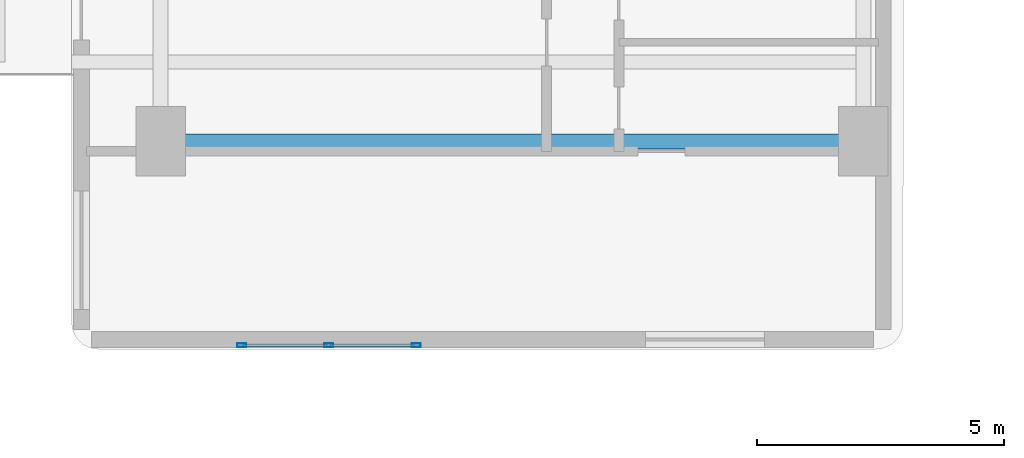
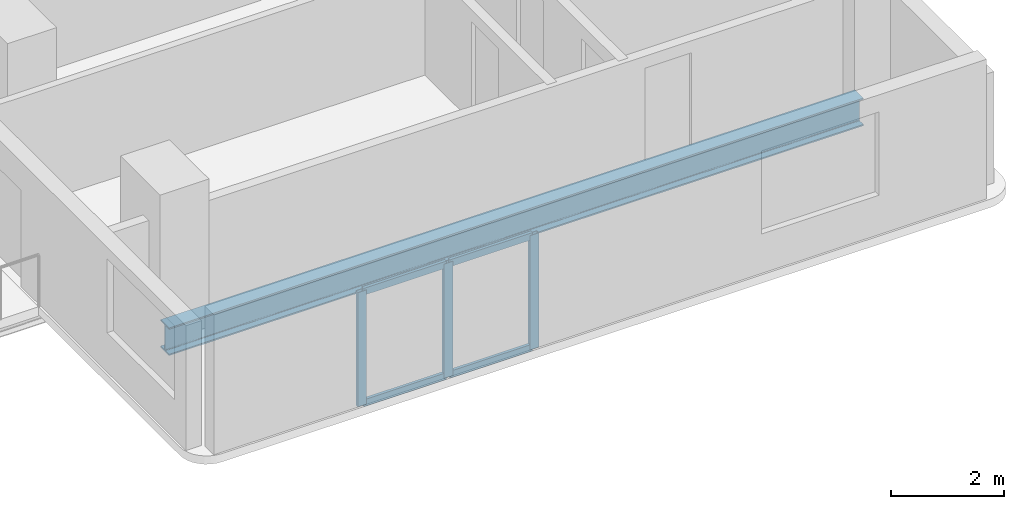
# One storey, part 2 of 17: 7 members, 1 beam, 1 element without a shape of its own.
"""IFC4 building model written with IfcOpenShell, lengths in metres."""

import ifcopenshell
import ifcopenshell.guid

model = None  # the IFC model being written
_history = None  # IfcOwnerHistory: only IFC2X3 demands one
_inside = {}  # id of a spatial element -> (the spatial element, [elements in it])
_under = {}  # id of a project, library or spatial element -> (it, [spatial elements below it])
_declared = {}  # id of a project -> (the project, [libraries it declares])
_typed = {}  # id of a type object -> (the type object, [elements of that type])
_made_of = {}  # id of a material, layer set ... -> (it, [elements and type objects made of it])


def new_model(schema):
    """Start an empty IFC model of exactly this schema.

    Asked for "IFC4X3", IfcOpenShell would pick the latest addendum, in which some entities
    have other attributes; the version numbers below select the first issue.
    IFC2X3 requires an IfcOwnerHistory on every rooted entity: one is made here for all.
    """
    global model, _history
    if schema == "IFC4X3":
        model = ifcopenshell.file(schema_version=(4, 3, 0, 0))
    else:
        model = ifcopenshell.file(schema=schema)
    _inside.clear()
    _under.clear()
    _declared.clear()
    _typed.clear()
    _made_of.clear()
    _history = None
    if model.schema == "IFC2X3":
        org = make("IfcOrganization", Name="unknown")
        user = make(
            "IfcPersonAndOrganization",
            ThePerson=make("IfcPerson", FamilyName="unknown"),
            TheOrganization=org,
        )
        app = make(
            "IfcApplication",
            ApplicationDeveloper=org,
            Version="unknown",
            ApplicationFullName="unknown",
            ApplicationIdentifier="unknown",
        )
        _history = make(
            "IfcOwnerHistory",
            OwningUser=user,
            OwningApplication=app,
            ChangeAction="ADDED",
            CreationDate=0,
        )
    return model


def make(cls, **values):
    """One entity of the class cls with the attributes given. An attribute that is None is left unset."""
    return model.create_entity(
        cls, **{name: value for name, value in values.items() if value is not None}
    )


def rooted(cls, **values):
    """An entity with a GlobalId (a new one), such as an element, a storey or a relation."""
    return make(cls, GlobalId=ifcopenshell.guid.new(), OwnerHistory=_history, **values)


def si_unit(unit_type, name, prefix=None):
    """IfcSIUnit, for example si_unit("LENGTHUNIT", "METRE", prefix="MILLI")."""
    return make("IfcSIUnit", UnitType=unit_type, Prefix=prefix, Name=name)


def assignment(units):
    """IfcUnitAssignment: the units of a project."""
    return None if units is None else make("IfcUnitAssignment", Units=units)


def point(xyz):
    """IfcCartesianPoint."""
    return None if xyz is None else make("IfcCartesianPoint", Coordinates=xyz)


def direction(xyz):
    """IfcDirection."""
    return None if xyz is None else make("IfcDirection", DirectionRatios=xyz)


def frame(location, z_axis=None, x_axis=None):
    """IfcAxis2Placement3D, a coordinate frame: its origin and axes. An axis left out is left unset."""
    return make(
        "IfcAxis2Placement3D",
        Location=point(location),
        Axis=direction(z_axis),
        RefDirection=direction(x_axis),
    )


def frame_2d(location, x_axis=None):
    """IfcAxis2Placement2D, a coordinate frame in the plane: its origin and x axis."""
    return make(
        "IfcAxis2Placement2D", Location=point(location), RefDirection=direction(x_axis)
    )


def origin():
    """The frame at (0, 0, 0) with its axes left unset."""
    return frame((0.0, 0.0, 0.0))


def origin_2d():
    """The frame at (0, 0) in the plane with its x axis left unset."""
    return frame_2d((0.0, 0.0))


def place(relative_to, where):
    """IfcLocalPlacement: puts the frame where relative to a parent placement (None: the world)."""
    return make(
        "IfcLocalPlacement", PlacementRelTo=relative_to, RelativePlacement=where
    )


def context(
    kind, dimensions, precision=None, world=None, true_north=None, identifier=None
):
    """IfcGeometricRepresentationContext, for example the 3D "Model" context."""
    return make(
        "IfcGeometricRepresentationContext",
        ContextIdentifier=identifier,
        ContextType=kind,
        CoordinateSpaceDimension=dimensions,
        Precision=precision,
        WorldCoordinateSystem=world,
        TrueNorth=true_north,
    )


def subcontext(parent, identifier, kind, view, scale=None):
    """IfcGeometricRepresentationSubContext, for example "Body" below "Model"."""
    return make(
        "IfcGeometricRepresentationSubContext",
        ContextIdentifier=identifier,
        ContextType=kind,
        ParentContext=parent,
        TargetScale=scale,
        TargetView=view,
    )


def project(units=None, contexts=None):
    """IfcProject with its units and contexts."""
    return rooted(
        "IfcProject",
        Name="project",
        RepresentationContexts=contexts,
        UnitsInContext=assignment(units),
    )


def spatial(cls, under=None, at=None, **own):
    """A site, building, storey or space (cls), placed at a placement, below another one or the project."""
    s = rooted(cls, ObjectPlacement=at, **own)
    if under is not None:
        _under.setdefault(under.id(), (under, []))[1].append(s)
    return s


def profile(cls, at=None, kind="AREA", **sizes):
    """A parametric profile (cls). Its sizes go by their IFC names, for example OverallWidth=200.0."""
    return make(cls, ProfileType=kind, Position=at, **sizes)


def hollow_rectangle(**sizes):
    """IfcRectangleHollowProfileDef."""
    return profile("IfcRectangleHollowProfileDef", **sizes)


def i_section(**sizes):
    """IfcIShapeProfileDef."""
    return profile("IfcIShapeProfileDef", **sizes)


def extrude(swept, where, along, depth):
    """IfcExtrudedAreaSolid: the profile swept, set in the frame where, extruded along a direction by depth."""
    return make(
        "IfcExtrudedAreaSolid",
        SweptArea=swept,
        Position=where,
        ExtrudedDirection=direction(along),
        Depth=depth,
    )


def shape(context_of_items, identifier, shape_type, items):
    """IfcShapeRepresentation: the items that make up one representation, for example the "Body"."""
    return make(
        "IfcShapeRepresentation",
        ContextOfItems=context_of_items,
        RepresentationIdentifier=identifier,
        RepresentationType=shape_type,
        Items=items,
    )


def material(Name=None, Category=None):
    """IfcMaterial."""
    return make("IfcMaterial", Name=Name, Category=Category)


def material_profile(
    of_material, cross_section, Name=None, Category=None, Priority=None
):
    """IfcMaterialProfile: a cross section and its material."""
    return make(
        "IfcMaterialProfile",
        Name=Name,
        Material=of_material,
        Profile=cross_section,
        Priority=Priority,
        Category=Category,
    )


def profile_set(profiles, Name=None, composite=None):
    """IfcMaterialProfileSet."""
    return make(
        "IfcMaterialProfileSet",
        Name=Name,
        MaterialProfiles=profiles,
        CompositeProfile=composite,
    )


def made_of(thing, what):
    """Note that an element or type object is made of a material, layer set ...; save() writes the relation."""
    if what is not None:
        _made_of.setdefault(what.id(), (what, []))[1].append(thing)
    return thing


def type_object(cls, material=None, **own):
    """A type object (cls), such as IfcWallType, which elements share."""
    return made_of(rooted(cls, **own), material)


def element(
    cls,
    number,
    at=None,
    inside=None,
    cuts=None,
    type_object=None,
    material=None,
    context=None,
    identifier="Body",
    shape_type=None,
    held_by="IfcProductDefinitionShape",
    body=None,
    shapes=None,
    **own,
):
    """One element of the class cls, such as IfcWall. Its Tag is "e" and its number.

    at: its placement. inside: the storey or other place that contains it. cuts: it is an
    opening in that element (IfcRelVoidsElement). A single representation is given by context,
    identifier, shape_type and body (its items); several are given by shapes. held_by: the class
    of the entity that holds the representations. save() writes the other relations.
    """
    e = rooted(cls, Tag="e%d" % number, ObjectPlacement=at, **own)
    if body is not None:
        shapes = [shape(context, identifier, shape_type, body)]
    if shapes is not None:
        e.Representation = make(held_by, Representations=shapes)
    if inside is not None:
        _inside.setdefault(inside.id(), (inside, []))[1].append(e)
    if cuts is not None:
        rooted(
            "IfcRelVoidsElement", RelatingBuildingElement=cuts, RelatedOpeningElement=e
        )
    if type_object is not None:
        _typed.setdefault(type_object.id(), (type_object, []))[1].append(e)
    return made_of(e, material)


def aggregate(whole, parts):
    """IfcRelAggregates: a whole, such as a stair, and the parts it consists of."""
    return rooted("IfcRelAggregates", RelatingObject=whole, RelatedObjects=parts)


def save(model, path):
    """Write the relations noted so far, then the file.

    IfcRelAggregates (storeys below a building ...), IfcRelContainedInSpatialStructure (elements
    in a storey), IfcRelDefinesByType, IfcRelAssociatesMaterial and IfcRelDeclares: one each for
    every whole, place, type object, material and project.
    """
    for whole, parts in _under.values():
        aggregate(whole, parts)
    for where, things in _inside.values():
        rooted(
            "IfcRelContainedInSpatialStructure",
            RelatedElements=things,
            RelatingStructure=where,
        )
    for kind, things in _typed.values():
        rooted("IfcRelDefinesByType", RelatedObjects=things, RelatingType=kind)
    for what, things in _made_of.values():
        rooted("IfcRelAssociatesMaterial", RelatedObjects=things, RelatingMaterial=what)
    for by, libraries in _declared.values():
        rooted("IfcRelDeclares", RelatingContext=by, RelatedDefinitions=libraries)
    model.write(path)


model = new_model("IFC4")

# Units and contexts
model_context = context("Model", 3, precision=1e-05, world=origin(), true_north=direction((0.0, 1.0)))
body_context = subcontext(model_context, "Body", "Model", "MODEL_VIEW")
ifc_project = project(units=[si_unit("LENGTHUNIT", "METRE"), si_unit("AREAUNIT", "SQUARE_METRE"), si_unit("VOLUMEUNIT", "CUBIC_METRE"), si_unit("PLANEANGLEUNIT", "RADIAN"), si_unit("MASSUNIT", "GRAM", prefix="KILO")], contexts=[model_context])

# Site, building, storey
site_placement = place(None, origin())
site = spatial("IfcSite", under=ifc_project, at=site_placement, CompositionType="ELEMENT")
building_placement = place(site_placement, origin())
building = spatial("IfcBuilding", under=site, at=building_placement, Name="Kuzgunbayir Cultural Tower", CompositionType="ELEMENT")
storey_placement = place(building_placement, frame((0.0, 0.0, 43.60009765625)))
storey = spatial("IfcBuildingStorey", under=building, at=storey_placement, Name="L11", CompositionType="ELEMENT", Elevation=43.60009765625)

# Beam
ifc_material_1 = material(Name="Steel S355J2", Category="steel")
ifc_material_profile_1 = material_profile(ifc_material_1, i_section(OverallWidth=0.300048828125, OverallDepth=0.60009765625, WebThickness=0.015380859375, FlangeThickness=0.030029296875, FilletRadius=0.027099609375, at=origin_2d()), Name="HEB 600")
ifc_profile_set_1 = profile_set([ifc_material_profile_1], Name="Steel S355J2")
beam_type = type_object("IfcBeamType", Name="BM-GIR-HEB600", PredefinedType="BEAM", material=ifc_profile_set_1)
beam_placement = place(storey_placement, frame((5.39990234375, 12.60009765625, -0.47998046875), z_axis=(1.0, 0.0, 0.0), x_axis=(0.0, 1.0, 0.0)))
element("IfcBeam", 1, at=beam_placement, inside=storey, type_object=beam_type, Name="L11 Wing A Transverse Girder 1", PredefinedType="BEAM", context=body_context, shape_type="SweptSolid", body=[
    extrude(i_section(OverallWidth=0.300048828125, OverallDepth=0.60009765625, WebThickness=0.015380859375, FlangeThickness=0.030029296875, FilletRadius=0.027099609375, at=origin_2d()), origin(), (0.0, 0.0, 1.0), 14.2001953125),
])

# Curtain wall, members
ifc_material_2 = material(Name="Anodised Aluminium Framing", Category="aluminium")
curtain_wall_type = type_object("IfcCurtainWallType", Name="CW03-T1-OFFICE", PredefinedType="NOTDEFINED", material=ifc_material_2)
curtain_wall_placement = place(storey_placement, origin())
curtain_wall = element("IfcCurtainWall", 2, at=curtain_wall_placement, inside=storey, type_object=curtain_wall_type, Name="L11 Wing A South Feature Curtain Wall", PredefinedType="NOTDEFINED")
ifc_material_profile_2 = material_profile(ifc_material_2, hollow_rectangle(XDim=0.074951171875, YDim=0.179931640625, WallThickness=0.0048828125, at=origin_2d()), Name="RHS 180x75x5")
ifc_profile_set_2 = profile_set([ifc_material_profile_2], Name="Anodised Aluminium Framing")
member_type_1 = type_object("IfcMemberType", Name="MEM-CW-MULLION-180", PredefinedType="MULLION", material=ifc_profile_set_2)
member_1_placement = place(storey_placement, frame((7.03759765625, 8.47998046875, 0.0), z_axis=(0.0, 0.0, 1.0), x_axis=(0.0, 1.0, 0.0)))
member_1 = element("IfcMember", 3, at=member_1_placement, type_object=member_type_1, Name="CW03 mullion 1", PredefinedType="MULLION", context=body_context, shape_type="SweptSolid", body=[
    extrude(hollow_rectangle(XDim=0.074951171875, YDim=0.179931640625, WallThickness=0.0048828125, at=origin_2d()), origin(), (0.0, 0.0, 1.0), 2.469970703125),
])
member_2_placement = place(storey_placement, frame((8.800048828125, 8.47998046875, 0.0), z_axis=(0.0, 0.0, 1.0), x_axis=(0.0, 1.0, 0.0)))
member_2 = element("IfcMember", 4, at=member_2_placement, type_object=member_type_1, Name="CW03 mullion 2", PredefinedType="MULLION", context=body_context, shape_type="SweptSolid", body=[
    extrude(hollow_rectangle(XDim=0.074951171875, YDim=0.179931640625, WallThickness=0.0048828125, at=origin_2d()), origin(), (0.0, 0.0, 1.0), 2.469970703125),
])
member_3_placement = place(storey_placement, frame((10.5625, 8.47998046875, 0.0), z_axis=(0.0, 0.0, 1.0), x_axis=(0.0, 1.0, 0.0)))
member_3 = element("IfcMember", 5, at=member_3_placement, type_object=member_type_1, Name="CW03 mullion 3", PredefinedType="MULLION", context=body_context, shape_type="SweptSolid", body=[
    extrude(hollow_rectangle(XDim=0.074951171875, YDim=0.179931640625, WallThickness=0.0048828125, at=origin_2d()), origin(), (0.0, 0.0, 1.0), 2.469970703125),
])
ifc_material_profile_3 = material_profile(ifc_material_2, hollow_rectangle(XDim=0.06005859375, YDim=0.14990234375, WallThickness=0.00390625, at=origin_2d()), Name="RHS 150x60x4")
ifc_profile_set_3 = profile_set([ifc_material_profile_3], Name="Anodised Aluminium Framing")
member_type_2 = type_object("IfcMemberType", Name="MEM-CW-TRANSOM-150", PredefinedType="USERDEFINED", material=ifc_profile_set_3)
member_4_placement = place(storey_placement, frame((7.074951171875, 8.47998046875, 0.02978515625), z_axis=(1.0, 0.0, 0.0), x_axis=(0.0, 1.0, 0.0)))
member_4 = element("IfcMember", 6, at=member_4_placement, type_object=member_type_2, Name="CW03 transom 1.1", ObjectType="TRANSOM", PredefinedType="USERDEFINED", context=body_context, shape_type="SweptSolid", body=[
    extrude(hollow_rectangle(XDim=0.06005859375, YDim=0.14990234375, WallThickness=0.00390625, at=origin_2d()), origin(), (0.0, 0.0, 1.0), 1.6875),
])
member_5_placement = place(storey_placement, frame((7.074951171875, 8.47998046875, 2.43994140625), z_axis=(1.0, 0.0, 0.0), x_axis=(0.0, 1.0, 0.0)))
member_5 = element("IfcMember", 7, at=member_5_placement, type_object=member_type_2, Name="CW03 transom 1.2", ObjectType="TRANSOM", PredefinedType="USERDEFINED", context=body_context, shape_type="SweptSolid", body=[
    extrude(hollow_rectangle(XDim=0.06005859375, YDim=0.14990234375, WallThickness=0.00390625, at=origin_2d()), origin(), (0.0, 0.0, 1.0), 1.6875),
])
member_6_placement = place(storey_placement, frame((8.83740234375, 8.47998046875, 0.02978515625), z_axis=(1.0, 0.0, 0.0), x_axis=(0.0, 1.0, 0.0)))
member_6 = element("IfcMember", 8, at=member_6_placement, type_object=member_type_2, Name="CW03 transom 2.1", ObjectType="TRANSOM", PredefinedType="USERDEFINED", context=body_context, shape_type="SweptSolid", body=[
    extrude(hollow_rectangle(XDim=0.06005859375, YDim=0.14990234375, WallThickness=0.00390625, at=origin_2d()), origin(), (0.0, 0.0, 1.0), 1.6875),
])
member_7_placement = place(storey_placement, frame((8.83740234375, 8.47998046875, 2.43994140625), z_axis=(1.0, 0.0, 0.0), x_axis=(0.0, 1.0, 0.0)))
member_7 = element("IfcMember", 9, at=member_7_placement, type_object=member_type_2, Name="CW03 transom 2.2", ObjectType="TRANSOM", PredefinedType="USERDEFINED", context=body_context, shape_type="SweptSolid", body=[
    extrude(hollow_rectangle(XDim=0.06005859375, YDim=0.14990234375, WallThickness=0.00390625, at=origin_2d()), origin(), (0.0, 0.0, 1.0), 1.6875),
])
aggregate(curtain_wall, [member_1, member_2, member_3, member_4, member_5, member_6, member_7])

save(model, "model.ifc")
